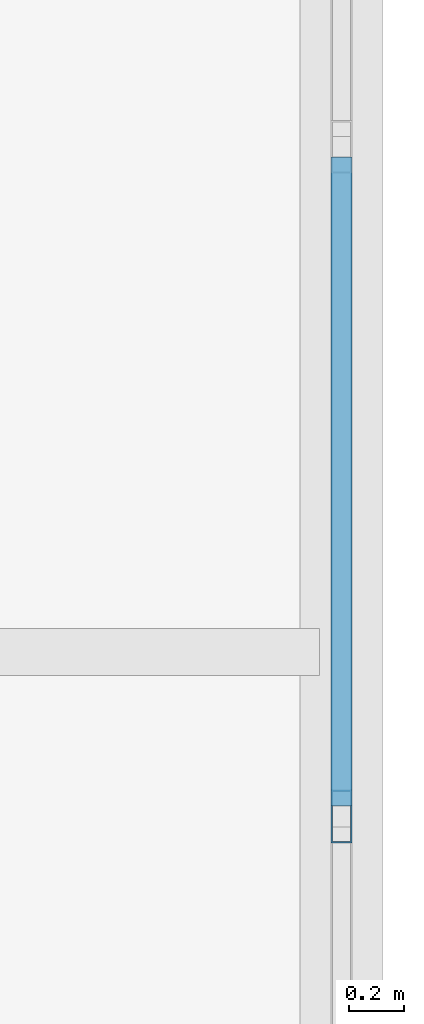
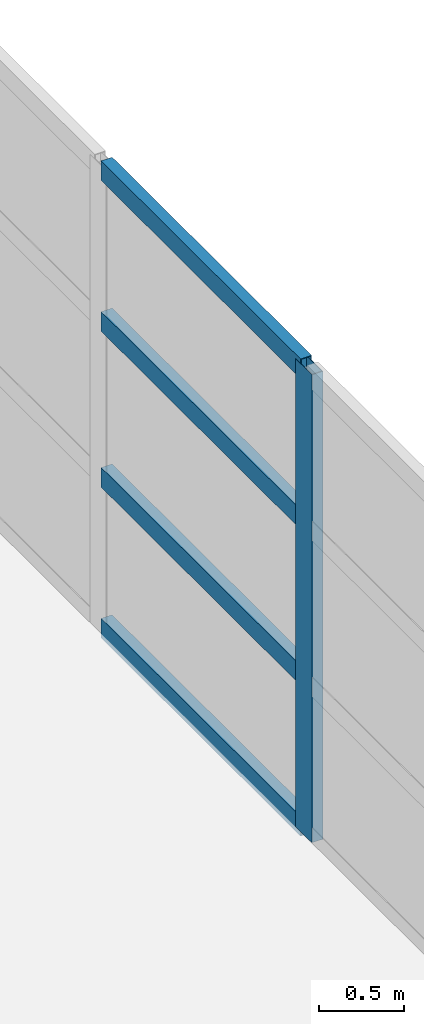
# One storey, part 40 of 86: 5 members, 1 element without a shape of its own.
"""IFC4 building model written with IfcOpenShell, lengths in metres."""

from ifc_helpers import new_model, si_unit, direction, frame, origin, origin_2d, place, context, subcontext, project, spatial, hollow_rectangle, extrude, material, layer, layer_set, material_profile, profile_set, type_object, element, aggregate, save


model = new_model("IFC4")

# Units and contexts
model_context = context("Model", 3, precision=1e-05, world=origin(), true_north=direction((0.0, 1.0)))
body_context = subcontext(model_context, "Body", "Model", "MODEL_VIEW")
ifc_project = project(units=[si_unit("LENGTHUNIT", "METRE"), si_unit("AREAUNIT", "SQUARE_METRE"), si_unit("VOLUMEUNIT", "CUBIC_METRE"), si_unit("PLANEANGLEUNIT", "RADIAN"), si_unit("MASSUNIT", "GRAM", prefix="KILO")], contexts=[model_context])

# Site, building, storey
site_placement = place(None, origin())
site = spatial("IfcSite", under=ifc_project, at=site_placement, CompositionType="ELEMENT")
building_placement = place(site_placement, origin())
building = spatial("IfcBuilding", under=site, at=building_placement, Name="Zilviju Railside Exhibition Hall", CompositionType="ELEMENT")
storey_placement = place(building_placement, frame((0.0, 0.0, 12.60009765625)))
storey = spatial("IfcBuildingStorey", under=building, at=storey_placement, Name="L04", CompositionType="ELEMENT", Elevation=12.60009765625)

# Curtain wall, members
ifc_material_1 = material(Name="Thermally broken aluminium-steel triple-glazed curtain wall", Category="steel")
ifc_layer = layer(ifc_material_1, 0.179931640625)
ifc_layer_set = layer_set([ifc_layer], Name="Thermally broken aluminium-steel triple-glazed curtain wall")
curtain_wall_type = type_object("IfcCurtainWallType", Name="CW-BAY-13", PredefinedType="USERDEFINED", material=ifc_layer_set)
curtain_wall_placement = place(storey_placement, origin())
curtain_wall = element("IfcCurtainWall", 1, at=curtain_wall_placement, inside=storey, type_object=curtain_wall_type, Name="North Hall East Glazed Gable L04 (84..102)", ObjectType="GLAZED CURTAIN WALL", PredefinedType="USERDEFINED")
ifc_material_2 = material(Name="Thermally broken anodized aluminium mullion", Category="aluminium")
ifc_material_profile_1 = material_profile(ifc_material_2, hollow_rectangle(XDim=0.074951171875, YDim=0.18994140625, WallThickness=0.0048828125, at=origin_2d()), Name="MULLION 190x75x5")
ifc_profile_set_1 = profile_set([ifc_material_profile_1], Name="Thermally broken anodized aluminium mullion")
member_type_1 = type_object("IfcMemberType", Name="CWM-75x190", PredefinedType="MULLION", material=ifc_profile_set_1)
member_1_placement = place(storey_placement, frame((216.0, 94.20703125, 0.0), z_axis=(0.0, 0.0, 1.0), x_axis=(1.0, 0.0, 0.0)))
member_1 = element("IfcMember", 2, at=member_1_placement, type_object=member_type_1, Name="CW-13 mullion 4", PredefinedType="MULLION", context=body_context, shape_type="SweptSolid", body=[
    extrude(hollow_rectangle(XDim=0.074951171875, YDim=0.18994140625, WallThickness=0.0048828125, at=origin_2d()), origin(), (0.0, 0.0, 1.0), 3.349853515625),
])
ifc_material_3 = material(Name="Thermally broken anodized aluminium transom", Category="aluminium")
ifc_material_profile_2 = material_profile(ifc_material_3, hollow_rectangle(XDim=0.074951171875, YDim=0.139892578125, WallThickness=0.0048828125, at=origin_2d()), Name="TRANSOM 140x75x5")
ifc_profile_set_2 = profile_set([ifc_material_profile_2], Name="Thermally broken anodized aluminium transom")
member_type_2 = type_object("IfcMemberType", Name="CWT-75x140", PredefinedType="USERDEFINED", material=ifc_profile_set_2)
member_2_placement = place(storey_placement, frame((216.0, 96.583984375, 0.037353515625), z_axis=(0.0, -1.0, 0.0), x_axis=(1.0, 0.0, 0.0)))
member_2 = element("IfcMember", 3, at=member_2_placement, type_object=member_type_2, Name="CW-13 transom 3.1", ObjectType="TRANSOM", PredefinedType="USERDEFINED", context=body_context, shape_type="SweptSolid", body=[
    extrude(hollow_rectangle(XDim=0.074951171875, YDim=0.139892578125, WallThickness=0.0048828125, at=origin_2d()), origin(), (0.0, 0.0, 1.0), 2.33935546875),
])
member_3_placement = place(storey_placement, frame((216.0, 96.583984375, 1.116943359375), z_axis=(0.0, -1.0, 0.0), x_axis=(1.0, 0.0, 0.0)))
member_3 = element("IfcMember", 4, at=member_3_placement, type_object=member_type_2, Name="CW-13 transom 3.2", ObjectType="TRANSOM", PredefinedType="USERDEFINED", context=body_context, shape_type="SweptSolid", body=[
    extrude(hollow_rectangle(XDim=0.074951171875, YDim=0.139892578125, WallThickness=0.0048828125, at=origin_2d()), origin(), (0.0, 0.0, 1.0), 2.33935546875),
])
member_4_placement = place(storey_placement, frame((216.0, 96.583984375, 2.23291015625), z_axis=(0.0, -1.0, 0.0), x_axis=(1.0, 0.0, 0.0)))
member_4 = element("IfcMember", 5, at=member_4_placement, type_object=member_type_2, Name="CW-13 transom 3.3", ObjectType="TRANSOM", PredefinedType="USERDEFINED", context=body_context, shape_type="SweptSolid", body=[
    extrude(hollow_rectangle(XDim=0.074951171875, YDim=0.139892578125, WallThickness=0.0048828125, at=origin_2d()), origin(), (0.0, 0.0, 1.0), 2.33935546875),
])
member_5_placement = place(storey_placement, frame((216.0, 96.583984375, 3.3125), z_axis=(0.0, -1.0, 0.0), x_axis=(1.0, 0.0, 0.0)))
member_5 = element("IfcMember", 6, at=member_5_placement, type_object=member_type_2, Name="CW-13 transom 3.4", ObjectType="TRANSOM", PredefinedType="USERDEFINED", context=body_context, shape_type="SweptSolid", body=[
    extrude(hollow_rectangle(XDim=0.074951171875, YDim=0.139892578125, WallThickness=0.0048828125, at=origin_2d()), origin(), (0.0, 0.0, 1.0), 2.33935546875),
])
aggregate(curtain_wall, [member_1, member_2, member_3, member_4, member_5])

save(model, "model.ifc")
